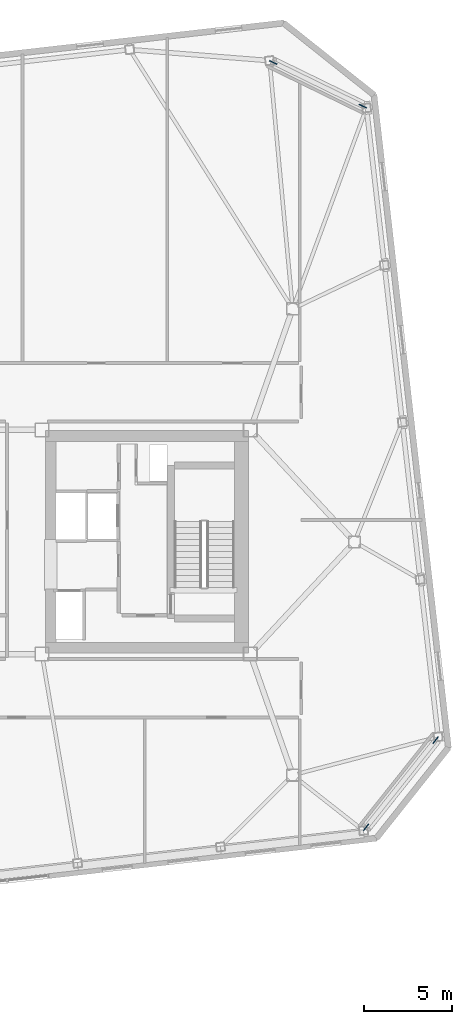
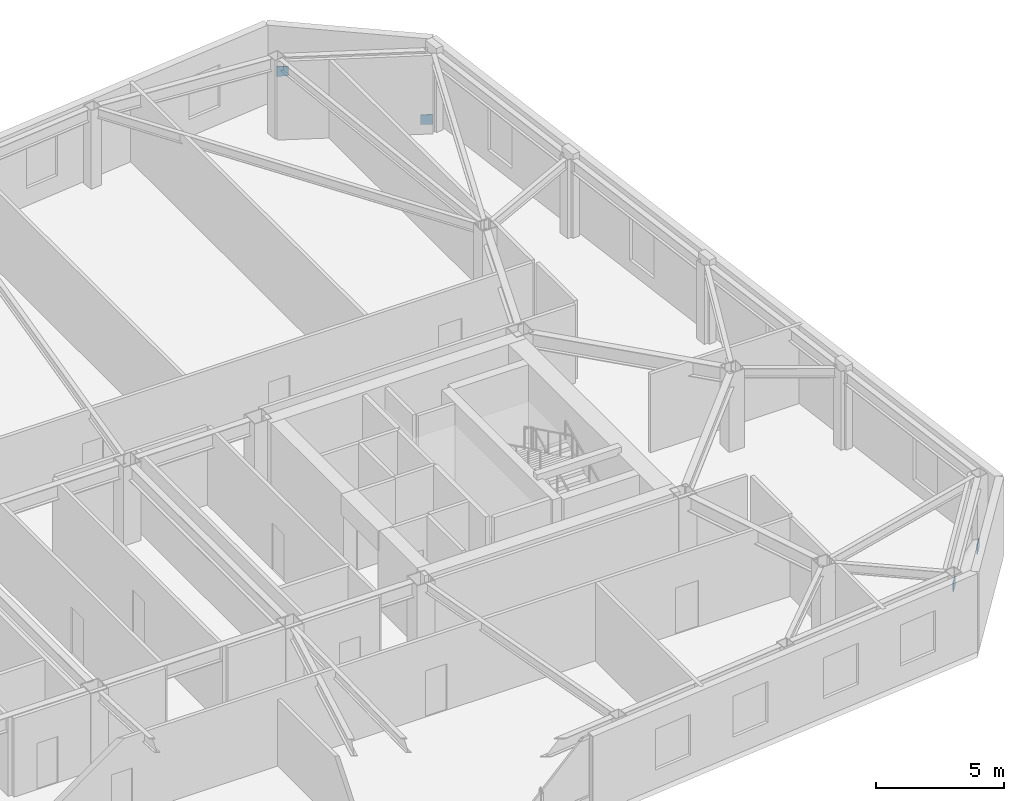
# One storey, part 17 of 18: 4 discrete accessories.
"""IFC4 building model written with IfcOpenShell, lengths in metres."""

import ifcopenshell
import ifcopenshell.guid

model = None  # the IFC model being written
_history = None  # IfcOwnerHistory: only IFC2X3 demands one
_inside = {}  # id of a spatial element -> (the spatial element, [elements in it])
_under = {}  # id of a project, library or spatial element -> (it, [spatial elements below it])
_declared = {}  # id of a project -> (the project, [libraries it declares])
_typed = {}  # id of a type object -> (the type object, [elements of that type])
_made_of = {}  # id of a material, layer set ... -> (it, [elements and type objects made of it])


def new_model(schema):
    """Start an empty IFC model of exactly this schema.

    Asked for "IFC4X3", IfcOpenShell would pick the latest addendum, in which some entities
    have other attributes; the version numbers below select the first issue.
    IFC2X3 requires an IfcOwnerHistory on every rooted entity: one is made here for all.
    """
    global model, _history
    if schema == "IFC4X3":
        model = ifcopenshell.file(schema_version=(4, 3, 0, 0))
    else:
        model = ifcopenshell.file(schema=schema)
    _inside.clear()
    _under.clear()
    _declared.clear()
    _typed.clear()
    _made_of.clear()
    _history = None
    if model.schema == "IFC2X3":
        org = make("IfcOrganization", Name="unknown")
        user = make(
            "IfcPersonAndOrganization",
            ThePerson=make("IfcPerson", FamilyName="unknown"),
            TheOrganization=org,
        )
        app = make(
            "IfcApplication",
            ApplicationDeveloper=org,
            Version="unknown",
            ApplicationFullName="unknown",
            ApplicationIdentifier="unknown",
        )
        _history = make(
            "IfcOwnerHistory",
            OwningUser=user,
            OwningApplication=app,
            ChangeAction="ADDED",
            CreationDate=0,
        )
    return model


def make(cls, **values):
    """One entity of the class cls with the attributes given. An attribute that is None is left unset."""
    return model.create_entity(
        cls, **{name: value for name, value in values.items() if value is not None}
    )


def rooted(cls, **values):
    """An entity with a GlobalId (a new one), such as an element, a storey or a relation."""
    return make(cls, GlobalId=ifcopenshell.guid.new(), OwnerHistory=_history, **values)


def si_unit(unit_type, name, prefix=None):
    """IfcSIUnit, for example si_unit("LENGTHUNIT", "METRE", prefix="MILLI")."""
    return make("IfcSIUnit", UnitType=unit_type, Prefix=prefix, Name=name)


def assignment(units):
    """IfcUnitAssignment: the units of a project."""
    return None if units is None else make("IfcUnitAssignment", Units=units)


def point(xyz):
    """IfcCartesianPoint."""
    return None if xyz is None else make("IfcCartesianPoint", Coordinates=xyz)


def direction(xyz):
    """IfcDirection."""
    return None if xyz is None else make("IfcDirection", DirectionRatios=xyz)


def frame(location, z_axis=None, x_axis=None):
    """IfcAxis2Placement3D, a coordinate frame: its origin and axes. An axis left out is left unset."""
    return make(
        "IfcAxis2Placement3D",
        Location=point(location),
        Axis=direction(z_axis),
        RefDirection=direction(x_axis),
    )


def frame_2d(location, x_axis=None):
    """IfcAxis2Placement2D, a coordinate frame in the plane: its origin and x axis."""
    return make(
        "IfcAxis2Placement2D", Location=point(location), RefDirection=direction(x_axis)
    )


def origin():
    """The frame at (0, 0, 0) with its axes left unset."""
    return frame((0.0, 0.0, 0.0))


def origin_2d():
    """The frame at (0, 0) in the plane with its x axis left unset."""
    return frame_2d((0.0, 0.0))


def place(relative_to, where):
    """IfcLocalPlacement: puts the frame where relative to a parent placement (None: the world)."""
    return make(
        "IfcLocalPlacement", PlacementRelTo=relative_to, RelativePlacement=where
    )


def context(
    kind, dimensions, precision=None, world=None, true_north=None, identifier=None
):
    """IfcGeometricRepresentationContext, for example the 3D "Model" context."""
    return make(
        "IfcGeometricRepresentationContext",
        ContextIdentifier=identifier,
        ContextType=kind,
        CoordinateSpaceDimension=dimensions,
        Precision=precision,
        WorldCoordinateSystem=world,
        TrueNorth=true_north,
    )


def subcontext(parent, identifier, kind, view, scale=None):
    """IfcGeometricRepresentationSubContext, for example "Body" below "Model"."""
    return make(
        "IfcGeometricRepresentationSubContext",
        ContextIdentifier=identifier,
        ContextType=kind,
        ParentContext=parent,
        TargetScale=scale,
        TargetView=view,
    )


def project(units=None, contexts=None):
    """IfcProject with its units and contexts."""
    return rooted(
        "IfcProject",
        Name="project",
        RepresentationContexts=contexts,
        UnitsInContext=assignment(units),
    )


def spatial(cls, under=None, at=None, **own):
    """A site, building, storey or space (cls), placed at a placement, below another one or the project."""
    s = rooted(cls, ObjectPlacement=at, **own)
    if under is not None:
        _under.setdefault(under.id(), (under, []))[1].append(s)
    return s


def profile(cls, at=None, kind="AREA", **sizes):
    """A parametric profile (cls). Its sizes go by their IFC names, for example OverallWidth=200.0."""
    return make(cls, ProfileType=kind, Position=at, **sizes)


def rectangle(**sizes):
    """IfcRectangleProfileDef."""
    return profile("IfcRectangleProfileDef", **sizes)


def extrude(swept, where, along, depth):
    """IfcExtrudedAreaSolid: the profile swept, set in the frame where, extruded along a direction by depth."""
    return make(
        "IfcExtrudedAreaSolid",
        SweptArea=swept,
        Position=where,
        ExtrudedDirection=direction(along),
        Depth=depth,
    )


def shape(context_of_items, identifier, shape_type, items):
    """IfcShapeRepresentation: the items that make up one representation, for example the "Body"."""
    return make(
        "IfcShapeRepresentation",
        ContextOfItems=context_of_items,
        RepresentationIdentifier=identifier,
        RepresentationType=shape_type,
        Items=items,
    )


def material(Name=None, Category=None):
    """IfcMaterial."""
    return make("IfcMaterial", Name=Name, Category=Category)


def made_of(thing, what):
    """Note that an element or type object is made of a material, layer set ...; save() writes the relation."""
    if what is not None:
        _made_of.setdefault(what.id(), (what, []))[1].append(thing)
    return thing


def type_object(cls, material=None, **own):
    """A type object (cls), such as IfcWallType, which elements share."""
    return made_of(rooted(cls, **own), material)


def element(
    cls,
    number,
    at=None,
    inside=None,
    cuts=None,
    type_object=None,
    material=None,
    context=None,
    identifier="Body",
    shape_type=None,
    held_by="IfcProductDefinitionShape",
    body=None,
    shapes=None,
    **own,
):
    """One element of the class cls, such as IfcWall. Its Tag is "e" and its number.

    at: its placement. inside: the storey or other place that contains it. cuts: it is an
    opening in that element (IfcRelVoidsElement). A single representation is given by context,
    identifier, shape_type and body (its items); several are given by shapes. held_by: the class
    of the entity that holds the representations. save() writes the other relations.
    """
    e = rooted(cls, Tag="e%d" % number, ObjectPlacement=at, **own)
    if body is not None:
        shapes = [shape(context, identifier, shape_type, body)]
    if shapes is not None:
        e.Representation = make(held_by, Representations=shapes)
    if inside is not None:
        _inside.setdefault(inside.id(), (inside, []))[1].append(e)
    if cuts is not None:
        rooted(
            "IfcRelVoidsElement", RelatingBuildingElement=cuts, RelatedOpeningElement=e
        )
    if type_object is not None:
        _typed.setdefault(type_object.id(), (type_object, []))[1].append(e)
    return made_of(e, material)


def aggregate(whole, parts):
    """IfcRelAggregates: a whole, such as a stair, and the parts it consists of."""
    return rooted("IfcRelAggregates", RelatingObject=whole, RelatedObjects=parts)


def save(model, path):
    """Write the relations noted so far, then the file.

    IfcRelAggregates (storeys below a building ...), IfcRelContainedInSpatialStructure (elements
    in a storey), IfcRelDefinesByType, IfcRelAssociatesMaterial and IfcRelDeclares: one each for
    every whole, place, type object, material and project.
    """
    for whole, parts in _under.values():
        aggregate(whole, parts)
    for where, things in _inside.values():
        rooted(
            "IfcRelContainedInSpatialStructure",
            RelatedElements=things,
            RelatingStructure=where,
        )
    for kind, things in _typed.values():
        rooted("IfcRelDefinesByType", RelatedObjects=things, RelatingType=kind)
    for what, things in _made_of.values():
        rooted("IfcRelAssociatesMaterial", RelatedObjects=things, RelatingMaterial=what)
    for by, libraries in _declared.values():
        rooted("IfcRelDeclares", RelatingContext=by, RelatedDefinitions=libraries)
    model.write(path)


model = new_model("IFC4")

# Units and contexts
model_context = context("Model", 3, precision=1e-05, world=origin(), true_north=direction((0.0, 1.0)))
body_context = subcontext(model_context, "Body", "Model", "MODEL_VIEW")
ifc_project = project(units=[si_unit("LENGTHUNIT", "METRE"), si_unit("AREAUNIT", "SQUARE_METRE"), si_unit("VOLUMEUNIT", "CUBIC_METRE"), si_unit("PLANEANGLEUNIT", "RADIAN"), si_unit("MASSUNIT", "GRAM", prefix="KILO")], contexts=[model_context])

# Site, building, storey
site_placement = place(None, origin())
site = spatial("IfcSite", under=ifc_project, at=site_placement, CompositionType="ELEMENT")
building_placement = place(site_placement, origin())
building = spatial("IfcBuilding", under=site, at=building_placement, Name="Tavrogorsk Clinical Tower", CompositionType="ELEMENT")
storey_placement = place(building_placement, frame((0.0, 0.0, 230.199951171875)))
storey = spatial("IfcBuildingStorey", under=building, at=storey_placement, Name="L53", CompositionType="ELEMENT", Elevation=230.199951171875)

# Discrete accessories
ifc_material = material(Name="Structural steel S440", Category="steel")
discrete_accessory_type = type_object("IfcDiscreteAccessoryType", Name="GussetPlateBracket_25", PredefinedType="BRACKET", material=ifc_material)
for number, where, z_axis, x_axis, name in (
    (1, (32.5859375, -11.2197265625, 0.168212890625), (0.0, 0.0, 1.0), (-0.622514636638, -0.782608156852, 0.0), "L53 Brace Gusset Plate EXOCRN-L53-1-A"),
    (2, (28.6572265625, -16.15869140625, 2.761962890625), (0.0, 0.0, 1.0), (-0.622514636638, -0.782608156852, 0.0), "L53 Brace Gusset Plate EXOCRN-L53-1-B"),
    (3, (28.46630859375, 24.679443359375, 0.17724609375), (0.0, 0.0, 1.0), (-0.898794046299, 0.438371146789, 0.0), "L53 Brace Gusset Plate EXOCRN-L53-2-A"),
    (4, (23.399169921875, 27.150634765625, 2.7529296875), (0.0, 0.0, 1.0), (-0.898794046299, 0.438371146789, 0.0), "L53 Brace Gusset Plate EXOCRN-L53-2-B"),
):
    element("IfcDiscreteAccessory", number, at=place(storey_placement, frame(where, z_axis=z_axis, x_axis=x_axis)), inside=storey, type_object=discrete_accessory_type, Name=name, PredefinedType="BRACKET", context=body_context, shape_type="SweptSolid", body=[
        extrude(rectangle(XDim=0.4599609375, YDim=0.0400390625, at=origin_2d()), origin(), (0.0, 0.0, 1.0), 0.4599609375),
    ])

save(model, "model.ifc")
